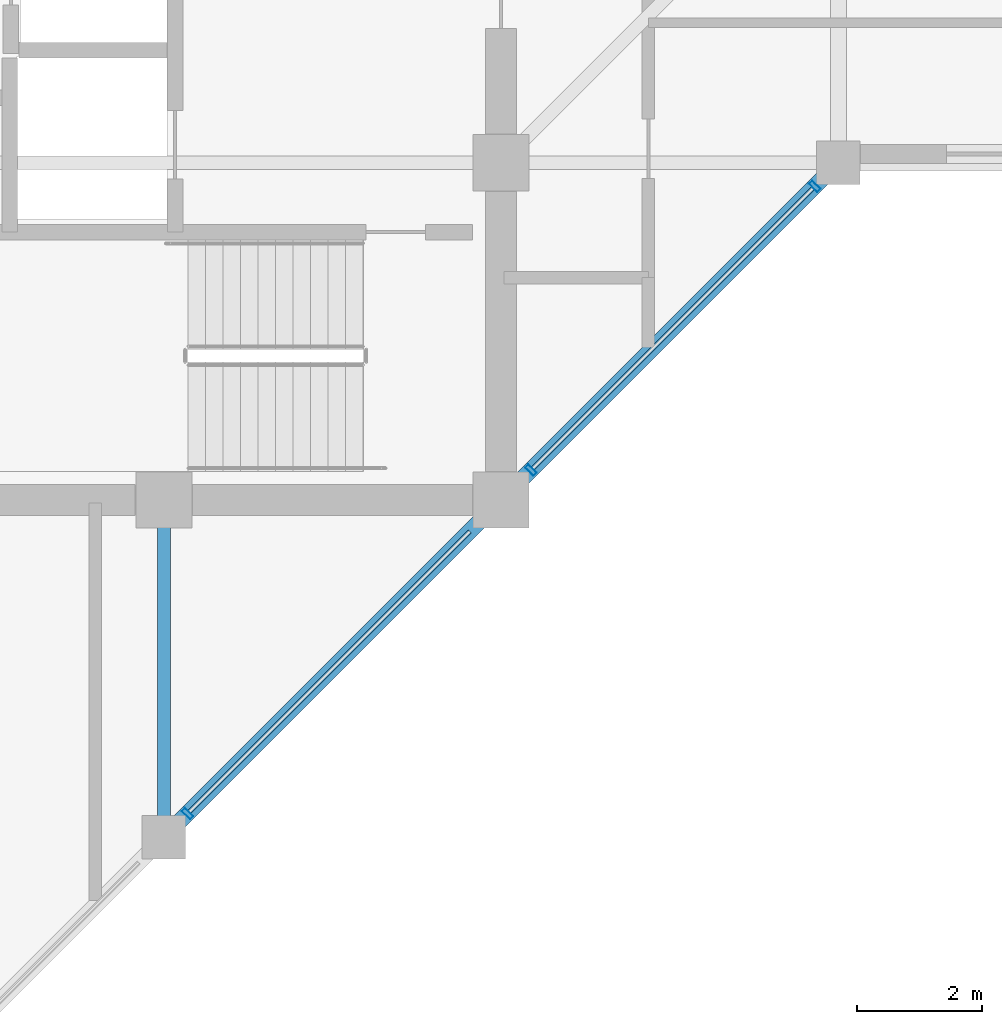
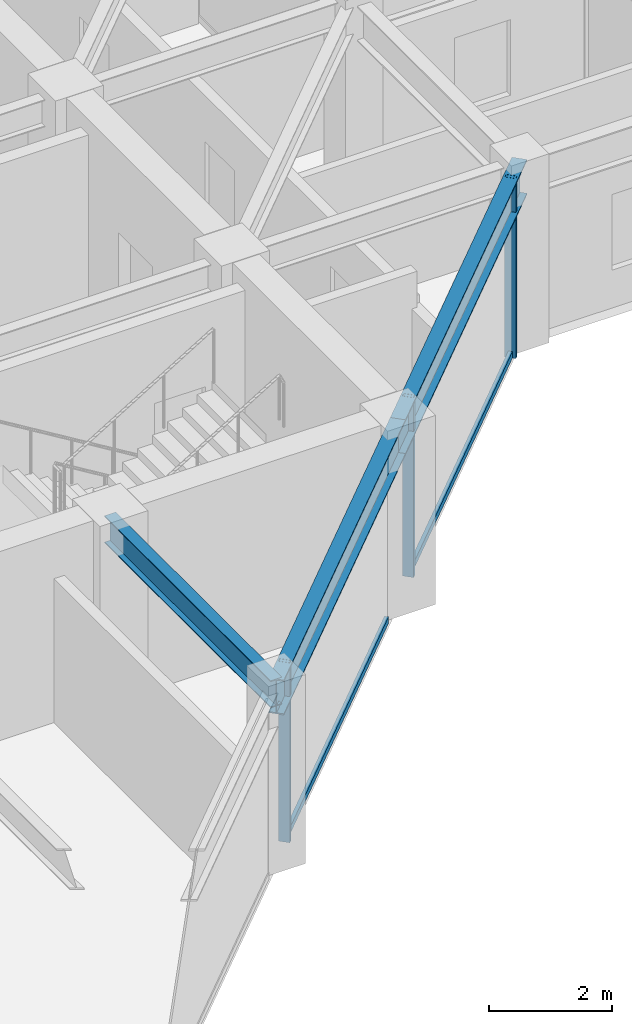
# One storey, part 9 of 31: 5 members, 3 beams, 1 element without a shape of its own.
"""IFC4 building model written with IfcOpenShell, lengths in metres."""

import ifcopenshell
import ifcopenshell.guid

model = None  # the IFC model being written
_history = None  # IfcOwnerHistory: only IFC2X3 demands one
_inside = {}  # id of a spatial element -> (the spatial element, [elements in it])
_under = {}  # id of a project, library or spatial element -> (it, [spatial elements below it])
_declared = {}  # id of a project -> (the project, [libraries it declares])
_typed = {}  # id of a type object -> (the type object, [elements of that type])
_made_of = {}  # id of a material, layer set ... -> (it, [elements and type objects made of it])


def new_model(schema):
    """Start an empty IFC model of exactly this schema.

    Asked for "IFC4X3", IfcOpenShell would pick the latest addendum, in which some entities
    have other attributes; the version numbers below select the first issue.
    IFC2X3 requires an IfcOwnerHistory on every rooted entity: one is made here for all.
    """
    global model, _history
    if schema == "IFC4X3":
        model = ifcopenshell.file(schema_version=(4, 3, 0, 0))
    else:
        model = ifcopenshell.file(schema=schema)
    _inside.clear()
    _under.clear()
    _declared.clear()
    _typed.clear()
    _made_of.clear()
    _history = None
    if model.schema == "IFC2X3":
        org = make("IfcOrganization", Name="unknown")
        user = make(
            "IfcPersonAndOrganization",
            ThePerson=make("IfcPerson", FamilyName="unknown"),
            TheOrganization=org,
        )
        app = make(
            "IfcApplication",
            ApplicationDeveloper=org,
            Version="unknown",
            ApplicationFullName="unknown",
            ApplicationIdentifier="unknown",
        )
        _history = make(
            "IfcOwnerHistory",
            OwningUser=user,
            OwningApplication=app,
            ChangeAction="ADDED",
            CreationDate=0,
        )
    return model


def make(cls, **values):
    """One entity of the class cls with the attributes given. An attribute that is None is left unset."""
    return model.create_entity(
        cls, **{name: value for name, value in values.items() if value is not None}
    )


def rooted(cls, **values):
    """An entity with a GlobalId (a new one), such as an element, a storey or a relation."""
    return make(cls, GlobalId=ifcopenshell.guid.new(), OwnerHistory=_history, **values)


def si_unit(unit_type, name, prefix=None):
    """IfcSIUnit, for example si_unit("LENGTHUNIT", "METRE", prefix="MILLI")."""
    return make("IfcSIUnit", UnitType=unit_type, Prefix=prefix, Name=name)


def assignment(units):
    """IfcUnitAssignment: the units of a project."""
    return None if units is None else make("IfcUnitAssignment", Units=units)


def point(xyz):
    """IfcCartesianPoint."""
    return None if xyz is None else make("IfcCartesianPoint", Coordinates=xyz)


def direction(xyz):
    """IfcDirection."""
    return None if xyz is None else make("IfcDirection", DirectionRatios=xyz)


def frame(location, z_axis=None, x_axis=None):
    """IfcAxis2Placement3D, a coordinate frame: its origin and axes. An axis left out is left unset."""
    return make(
        "IfcAxis2Placement3D",
        Location=point(location),
        Axis=direction(z_axis),
        RefDirection=direction(x_axis),
    )


def frame_2d(location, x_axis=None):
    """IfcAxis2Placement2D, a coordinate frame in the plane: its origin and x axis."""
    return make(
        "IfcAxis2Placement2D", Location=point(location), RefDirection=direction(x_axis)
    )


def origin():
    """The frame at (0, 0, 0) with its axes left unset."""
    return frame((0.0, 0.0, 0.0))


def origin_2d():
    """The frame at (0, 0) in the plane with its x axis left unset."""
    return frame_2d((0.0, 0.0))


def place(relative_to, where):
    """IfcLocalPlacement: puts the frame where relative to a parent placement (None: the world)."""
    return make(
        "IfcLocalPlacement", PlacementRelTo=relative_to, RelativePlacement=where
    )


def context(
    kind, dimensions, precision=None, world=None, true_north=None, identifier=None
):
    """IfcGeometricRepresentationContext, for example the 3D "Model" context."""
    return make(
        "IfcGeometricRepresentationContext",
        ContextIdentifier=identifier,
        ContextType=kind,
        CoordinateSpaceDimension=dimensions,
        Precision=precision,
        WorldCoordinateSystem=world,
        TrueNorth=true_north,
    )


def subcontext(parent, identifier, kind, view, scale=None):
    """IfcGeometricRepresentationSubContext, for example "Body" below "Model"."""
    return make(
        "IfcGeometricRepresentationSubContext",
        ContextIdentifier=identifier,
        ContextType=kind,
        ParentContext=parent,
        TargetScale=scale,
        TargetView=view,
    )


def project(units=None, contexts=None):
    """IfcProject with its units and contexts."""
    return rooted(
        "IfcProject",
        Name="project",
        RepresentationContexts=contexts,
        UnitsInContext=assignment(units),
    )


def spatial(cls, under=None, at=None, **own):
    """A site, building, storey or space (cls), placed at a placement, below another one or the project."""
    s = rooted(cls, ObjectPlacement=at, **own)
    if under is not None:
        _under.setdefault(under.id(), (under, []))[1].append(s)
    return s


def profile(cls, at=None, kind="AREA", **sizes):
    """A parametric profile (cls). Its sizes go by their IFC names, for example OverallWidth=200.0."""
    return make(cls, ProfileType=kind, Position=at, **sizes)


def hollow_rectangle(**sizes):
    """IfcRectangleHollowProfileDef."""
    return profile("IfcRectangleHollowProfileDef", **sizes)


def i_section(**sizes):
    """IfcIShapeProfileDef."""
    return profile("IfcIShapeProfileDef", **sizes)


def extrude(swept, where, along, depth):
    """IfcExtrudedAreaSolid: the profile swept, set in the frame where, extruded along a direction by depth."""
    return make(
        "IfcExtrudedAreaSolid",
        SweptArea=swept,
        Position=where,
        ExtrudedDirection=direction(along),
        Depth=depth,
    )


def shape(context_of_items, identifier, shape_type, items):
    """IfcShapeRepresentation: the items that make up one representation, for example the "Body"."""
    return make(
        "IfcShapeRepresentation",
        ContextOfItems=context_of_items,
        RepresentationIdentifier=identifier,
        RepresentationType=shape_type,
        Items=items,
    )


def material(Name=None, Category=None):
    """IfcMaterial."""
    return make("IfcMaterial", Name=Name, Category=Category)


def layer(
    of_material, thickness, ventilated=None, Name=None, Category=None, Priority=None
):
    """IfcMaterialLayer: one layer of a wall or slab, of a material (None: an air gap)."""
    return make(
        "IfcMaterialLayer",
        Material=of_material,
        LayerThickness=thickness,
        IsVentilated=ventilated,
        Name=Name,
        Category=Category,
        Priority=Priority,
    )


def layer_set(layers, Name=None):
    """IfcMaterialLayerSet."""
    return make("IfcMaterialLayerSet", MaterialLayers=layers, LayerSetName=Name)


def material_profile(
    of_material, cross_section, Name=None, Category=None, Priority=None
):
    """IfcMaterialProfile: a cross section and its material."""
    return make(
        "IfcMaterialProfile",
        Name=Name,
        Material=of_material,
        Profile=cross_section,
        Priority=Priority,
        Category=Category,
    )


def profile_set(profiles, Name=None, composite=None):
    """IfcMaterialProfileSet."""
    return make(
        "IfcMaterialProfileSet",
        Name=Name,
        MaterialProfiles=profiles,
        CompositeProfile=composite,
    )


def made_of(thing, what):
    """Note that an element or type object is made of a material, layer set ...; save() writes the relation."""
    if what is not None:
        _made_of.setdefault(what.id(), (what, []))[1].append(thing)
    return thing


def type_object(cls, material=None, **own):
    """A type object (cls), such as IfcWallType, which elements share."""
    return made_of(rooted(cls, **own), material)


def element(
    cls,
    number,
    at=None,
    inside=None,
    cuts=None,
    type_object=None,
    material=None,
    context=None,
    identifier="Body",
    shape_type=None,
    held_by="IfcProductDefinitionShape",
    body=None,
    shapes=None,
    **own,
):
    """One element of the class cls, such as IfcWall. Its Tag is "e" and its number.

    at: its placement. inside: the storey or other place that contains it. cuts: it is an
    opening in that element (IfcRelVoidsElement). A single representation is given by context,
    identifier, shape_type and body (its items); several are given by shapes. held_by: the class
    of the entity that holds the representations. save() writes the other relations.
    """
    e = rooted(cls, Tag="e%d" % number, ObjectPlacement=at, **own)
    if body is not None:
        shapes = [shape(context, identifier, shape_type, body)]
    if shapes is not None:
        e.Representation = make(held_by, Representations=shapes)
    if inside is not None:
        _inside.setdefault(inside.id(), (inside, []))[1].append(e)
    if cuts is not None:
        rooted(
            "IfcRelVoidsElement", RelatingBuildingElement=cuts, RelatedOpeningElement=e
        )
    if type_object is not None:
        _typed.setdefault(type_object.id(), (type_object, []))[1].append(e)
    return made_of(e, material)


def aggregate(whole, parts):
    """IfcRelAggregates: a whole, such as a stair, and the parts it consists of."""
    return rooted("IfcRelAggregates", RelatingObject=whole, RelatedObjects=parts)


def save(model, path):
    """Write the relations noted so far, then the file.

    IfcRelAggregates (storeys below a building ...), IfcRelContainedInSpatialStructure (elements
    in a storey), IfcRelDefinesByType, IfcRelAssociatesMaterial and IfcRelDeclares: one each for
    every whole, place, type object, material and project.
    """
    for whole, parts in _under.values():
        aggregate(whole, parts)
    for where, things in _inside.values():
        rooted(
            "IfcRelContainedInSpatialStructure",
            RelatedElements=things,
            RelatingStructure=where,
        )
    for kind, things in _typed.values():
        rooted("IfcRelDefinesByType", RelatedObjects=things, RelatingType=kind)
    for what, things in _made_of.values():
        rooted("IfcRelAssociatesMaterial", RelatedObjects=things, RelatingMaterial=what)
    for by, libraries in _declared.values():
        rooted("IfcRelDeclares", RelatingContext=by, RelatedDefinitions=libraries)
    model.write(path)


model = new_model("IFC4")

# Units and contexts
model_context = context("Model", 3, precision=1e-05, world=origin(), true_north=direction((0.0, 1.0)))
body_context = subcontext(model_context, "Body", "Model", "MODEL_VIEW")
ifc_project = project(units=[si_unit("LENGTHUNIT", "METRE"), si_unit("AREAUNIT", "SQUARE_METRE"), si_unit("VOLUMEUNIT", "CUBIC_METRE"), si_unit("PLANEANGLEUNIT", "RADIAN"), si_unit("MASSUNIT", "GRAM", prefix="KILO")], contexts=[model_context])

# Site, building, storey
site_placement = place(None, origin())
site = spatial("IfcSite", under=ifc_project, at=site_placement, CompositionType="ELEMENT")
building_placement = place(site_placement, origin())
building = spatial("IfcBuilding", under=site, at=building_placement, Name="Surkhivell Harbour Commons", CompositionType="ELEMENT")
storey_placement = place(building_placement, frame((0.0, 0.0, 315.0)))
storey = spatial("IfcBuildingStorey", under=building, at=storey_placement, Name="L82", CompositionType="ELEMENT", Elevation=315.0)

# Beams
ifc_material_1 = material(Name="Steel S355", Category="steel")
ifc_material_profile_1 = material_profile(ifc_material_1, i_section(OverallWidth=0.2099609375, OverallDepth=0.537109375, WebThickness=0.0107421875, FlangeThickness=0.017333984375, at=origin_2d()), Name="UB533x210x101")
ifc_profile_set_1 = profile_set([ifc_material_profile_1], Name="Steel S355")
beam_type_1 = type_object("IfcBeamType", Name="BM-GRD-533B", PredefinedType="BEAM", material=ifc_profile_set_1)
beam_placement = place(storey_placement, frame((5.39990234375, -16.199951171875, 3.301513671875), z_axis=(0.0, 1.0, 0.0), x_axis=(-1.0, 0.0, 0.0)))
element("IfcBeam", 1, at=beam_placement, inside=storey, type_object=beam_type_1, Name="L82 Floor Girder (5.4,-16.2)", PredefinedType="BEAM", context=body_context, shape_type="SweptSolid", body=[
    extrude(i_section(OverallWidth=0.2099609375, OverallDepth=0.537109375, WebThickness=0.0107421875, FlangeThickness=0.017333984375, at=origin_2d()), origin(), (0.0, 0.0, 1.0), 5.39990234375),
])
ifc_material_profile_2 = material_profile(ifc_material_1, i_section(OverallWidth=0.256103515625, OverallDepth=0.693115234375, WebThickness=0.014404296875, FlangeThickness=0.023681640625, at=origin_2d()), Name="UB686x254x170")
ifc_profile_set_2 = profile_set([ifc_material_profile_2], Name="Steel S355")
beam_type_2 = type_object("IfcBeamType", Name="BM-SPN-686", PredefinedType="SPANDREL", material=ifc_profile_set_2)
for number, where, z_axis, x_axis, name in (
    (2, (5.39990234375, -16.199951171875, 3.223388671875), (0.707122765516, 0.707090796496, 0.0), (-0.707090796496, 0.707122765516, 0.0), "L82 Tube Spandrel (5.4,-16.2)"),
    (3, (10.800048828125, -10.800048828125, 3.223388671875), (0.707090796496, 0.707122765516, 0.0), (-0.707122765516, 0.707090796496, 0.0), "L82 Tube Spandrel (10.8,-10.8)"),
):
    element("IfcBeam", number, at=place(storey_placement, frame(where, z_axis=z_axis, x_axis=x_axis)), inside=storey, type_object=beam_type_2, Name=name, PredefinedType="SPANDREL", context=body_context, shape_type="SweptSolid", body=[
        extrude(i_section(OverallWidth=0.256103515625, OverallDepth=0.693115234375, WebThickness=0.014404296875, FlangeThickness=0.023681640625, at=origin_2d()), origin(), (0.0, 0.0, 1.0), 7.63671875),
    ])

# Curtain wall, members
ifc_material_2 = material(Name="Anodised pale-metal aluminium and insulated glazing", Category="aluminium")
ifc_layer = layer(ifc_material_2, 0.175048828125)
ifc_layer_set = layer_set([ifc_layer], Name="Anodised pale-metal aluminium and insulated glazing")
curtain_wall_type = type_object("IfcCurtainWallType", Name="CW-SYS-Z4", PredefinedType="NOTDEFINED", material=ifc_layer_set)
curtain_wall_placement = place(storey_placement, origin())
curtain_wall = element("IfcCurtainWall", 4, at=curtain_wall_placement, inside=storey, type_object=curtain_wall_type, Name="L82 Curtain Wall CW-L82-E01", PredefinedType="NOTDEFINED")
ifc_material_3 = material(Name="Anodised pale-metal aluminium alloy 6063-T6", Category="aluminium")
ifc_material_profile_3 = material_profile(ifc_material_3, hollow_rectangle(XDim=0.074951171875, YDim=0.18994140625, WallThickness=0.00390625, at=origin_2d()), Name="ALU-MULL-75x190")
ifc_profile_set_3 = profile_set([ifc_material_profile_3], Name="Anodised pale-metal aluminium alloy 6063-T6")
member_type_1 = type_object("IfcMemberType", Name="CWM-190", PredefinedType="MULLION", material=ifc_profile_set_3)
member_1_placement = place(storey_placement, frame((5.778076171875, -15.82177734375, 0.0), z_axis=(0.0, 0.0, 1.0), x_axis=(0.707106781187, 0.707106781187, 0.0)))
member_1 = element("IfcMember", 5, at=member_1_placement, type_object=member_type_1, Name="CW-Z4 mullion 2", PredefinedType="MULLION", context=body_context, shape_type="SweptSolid", body=[
    extrude(hollow_rectangle(XDim=0.074951171875, YDim=0.18994140625, WallThickness=0.00390625, at=origin_2d()), origin(), (0.0, 0.0, 1.0), 3.570068359375),
])
member_2_placement = place(storey_placement, frame((11.278076171875, -10.32177734375, 0.0), z_axis=(0.0, 0.0, 1.0), x_axis=(0.707106781187, 0.707106781187, 0.0)))
member_2 = element("IfcMember", 6, at=member_2_placement, type_object=member_type_1, Name="CW-Z4 mullion 3", PredefinedType="MULLION", context=body_context, shape_type="SweptSolid", body=[
    extrude(hollow_rectangle(XDim=0.074951171875, YDim=0.18994140625, WallThickness=0.00390625, at=origin_2d()), origin(), (0.0, 0.0, 1.0), 3.570068359375),
])
member_3_placement = place(storey_placement, frame((15.82177734375, -5.778076171875, 0.0), z_axis=(0.0, 0.0, 1.0), x_axis=(0.707106781187, 0.707106781187, 0.0)))
member_3 = element("IfcMember", 7, at=member_3_placement, type_object=member_type_1, Name="CW-Z4 mullion 4", PredefinedType="MULLION", context=body_context, shape_type="SweptSolid", body=[
    extrude(hollow_rectangle(XDim=0.074951171875, YDim=0.18994140625, WallThickness=0.00390625, at=origin_2d()), origin(), (0.0, 0.0, 1.0), 3.570068359375),
])
ifc_material_4 = material(Name="Champagne anodised aluminium alloy 6063-T6", Category="aluminium")
ifc_material_profile_4 = material_profile(ifc_material_4, hollow_rectangle(XDim=0.070068359375, YDim=0.1298828125, WallThickness=0.00341796875, at=origin_2d()), Name="ALU-TRAN-70x130")
ifc_profile_set_4 = profile_set([ifc_material_profile_4], Name="Champagne anodised aluminium alloy 6063-T6")
member_type_2 = type_object("IfcMemberType", Name="CWT-130", PredefinedType="USERDEFINED", material=ifc_profile_set_4)
member_4_placement = place(storey_placement, frame((5.8046875, -15.79541015625, 0.06494140625), z_axis=(0.707106781187, 0.707106781187, 0.0), x_axis=(-0.707106781187, 0.707106781187, 0.0)))
member_4 = element("IfcMember", 8, at=member_4_placement, type_object=member_type_2, Name="CW-Z4 transom 2.1", ObjectType="TRANSOM", PredefinedType="USERDEFINED", context=body_context, shape_type="SweptSolid", body=[
    extrude(hollow_rectangle(XDim=0.070068359375, YDim=0.1298828125, WallThickness=0.00341796875, at=origin_2d()), origin(), (0.0, 0.0, 1.0), 6.350830078125),
])
member_5_placement = place(storey_placement, frame((11.3046875, -10.29541015625, 0.06494140625), z_axis=(0.707106781187, 0.707106781187, 0.0), x_axis=(-0.707106781187, 0.707106781187, 0.0)))
member_5 = element("IfcMember", 9, at=member_5_placement, type_object=member_type_2, Name="CW-Z4 transom 3.1", ObjectType="TRANSOM", PredefinedType="USERDEFINED", context=body_context, shape_type="SweptSolid", body=[
    extrude(hollow_rectangle(XDim=0.070068359375, YDim=0.1298828125, WallThickness=0.00341796875, at=origin_2d()), origin(), (0.0, 0.0, 1.0), 6.350830078125),
])
aggregate(curtain_wall, [member_1, member_4, member_2, member_3, member_5])

save(model, "model.ifc")
